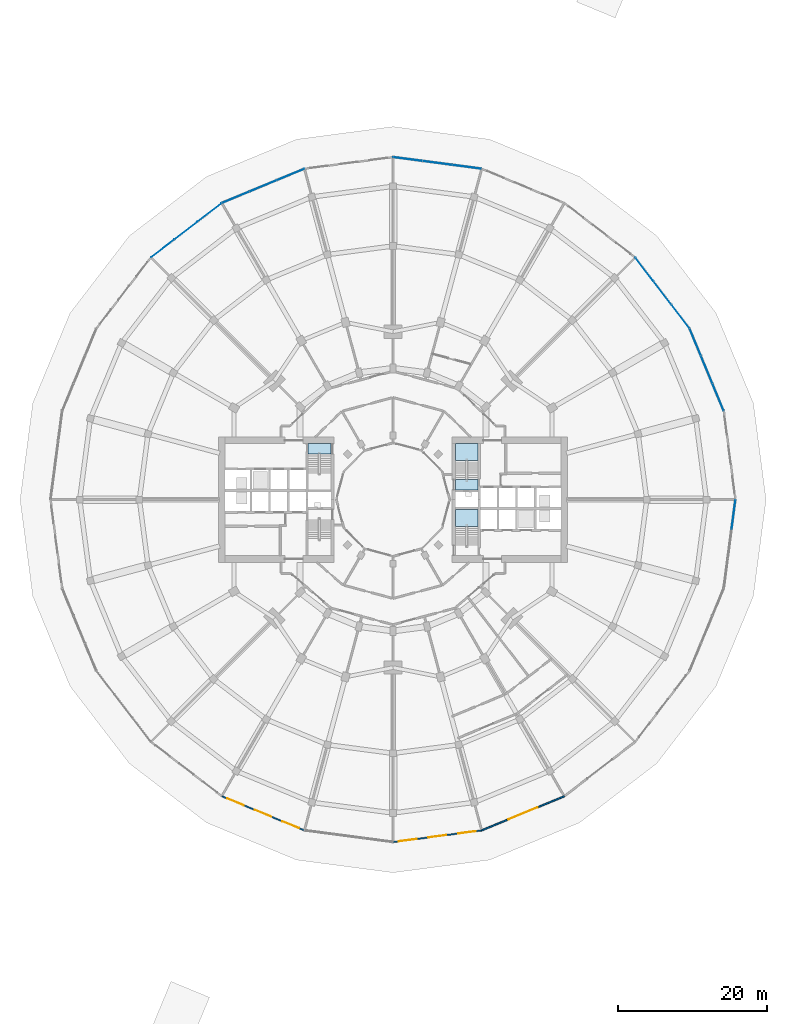
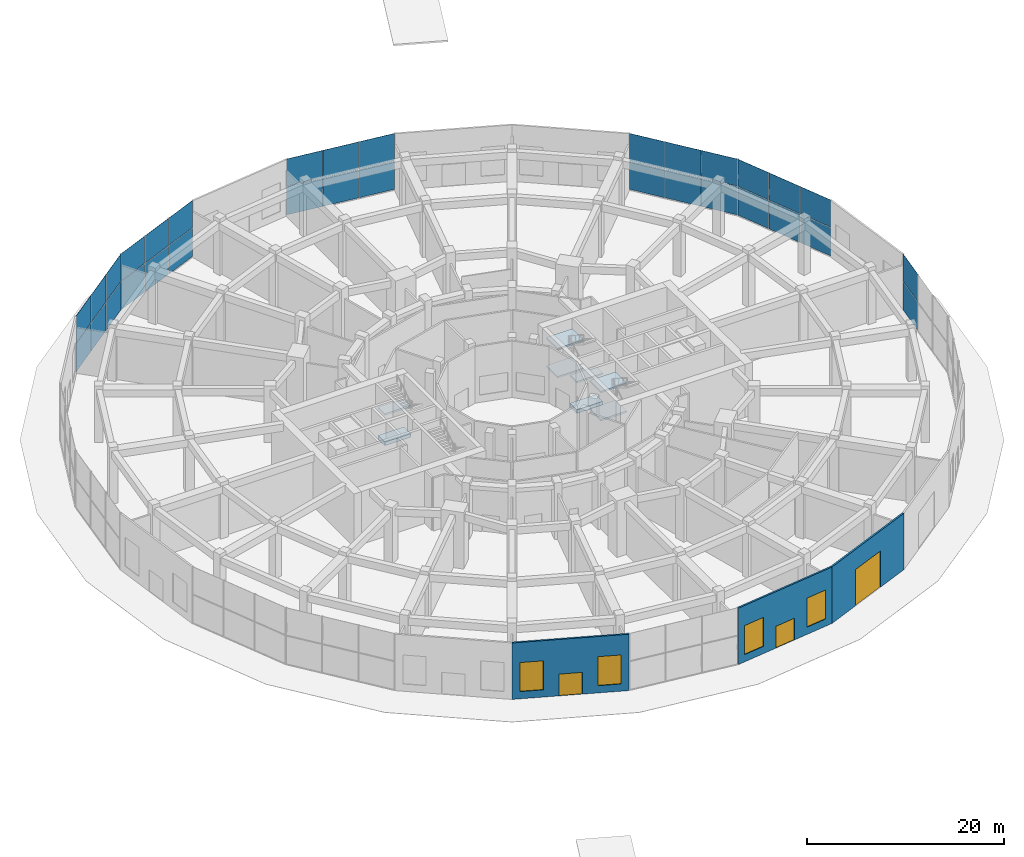
# One storey, part 21 of 31: 32 plates, 8 slabs, 4 windows, 3 doors, 3 walls, 7 openings, 9 elements without a shape of their own.
"""IFC4 building model written with IfcOpenShell, lengths in metres."""

from ifc_helpers import new_model, si_unit, direction, frame, frame_2d, origin, origin_2d, place, context, subcontext, project, spatial, polyline, rectangle, outline, extrude, material, layer, layer_set, type_object, element, fill, aggregate, save


model = new_model("IFC4")

# Units and contexts
model_context = context("Model", 3, precision=1e-05, world=origin(), true_north=direction((0.0, 1.0)))
body_context = subcontext(model_context, "Body", "Model", "MODEL_VIEW")
ifc_project = project(units=[si_unit("LENGTHUNIT", "METRE"), si_unit("AREAUNIT", "SQUARE_METRE"), si_unit("VOLUMEUNIT", "CUBIC_METRE"), si_unit("PLANEANGLEUNIT", "RADIAN"), si_unit("MASSUNIT", "GRAM", prefix="KILO")], contexts=[model_context])

# Site, building, storey
site_placement = place(None, origin())
site = spatial("IfcSite", under=ifc_project, at=site_placement, CompositionType="ELEMENT")
building_placement = place(site_placement, origin())
building = spatial("IfcBuilding", under=site, at=building_placement, Name="Torre Brocal", CompositionType="ELEMENT")
storey_placement = place(building_placement, origin())
storey = spatial("IfcBuildingStorey", under=building, at=storey_placement, Name="L00", CompositionType="ELEMENT", Elevation=0.0)

# Curtain wall, plates
ifc_material_1 = material(Name="Aluminium and glass", Category="aluminium")
ifc_layer_1 = layer(ifc_material_1, 0.199951171875)
ifc_layer_set_1 = layer_set([ifc_layer_1], Name="Aluminium and glass")
curtain_wall_type = type_object("IfcCurtainWallType", Name="CW-3 CURTAIN WALL 7000 HIGH", PredefinedType="NOTDEFINED", material=ifc_layer_set_1)
curtain_wall_1_placement = place(storey_placement, origin())
curtain_wall_1 = element("IfcCurtainWall", 1, at=curtain_wall_1_placement, inside=storey, type_object=curtain_wall_type, Name="CW-3 RUN 2", PredefinedType="NOTDEFINED")
ifc_material_2 = material(Name="Glass, dark tinted laminated", Category="glass")
ifc_layer_2 = layer(ifc_material_2, 0.02392578125)
ifc_layer_set_2 = layer_set([ifc_layer_2], Name="Glass, dark tinted laminated")
plate_type = type_object("IfcPlateType", Name="CW-3 GLASS PANEL 24", PredefinedType="CURTAIN_PANEL", material=ifc_layer_set_2)
plate_1_placement = place(storey_placement, frame((123.566162109375, 88.736083984375, 0.06005859375), z_axis=(0.0, 0.0, 1.0), x_axis=(-0.382683432333, 0.923879532525, 0.0)))
plate_1 = element("IfcPlate", 2, at=plate_1_placement, type_object=plate_type, Name="CW3-1 panel 1.1", PredefinedType="CURTAIN_PANEL", context=body_context, shape_type="SweptSolid", body=[
    extrude(rectangle(XDim=3.9189453125, YDim=0.02392578125, at=origin_2d()), origin(), (0.0, 0.0, 1.0), 3.510009765625),
])
plate_2_placement = place(storey_placement, frame((123.566162109375, 88.736083984375, 3.6298828125), z_axis=(0.0, 0.0, 1.0), x_axis=(-0.382683432333, 0.923879532525, 0.0)))
plate_2 = element("IfcPlate", 3, at=plate_2_placement, type_object=plate_type, Name="CW3-1 panel 1.2", PredefinedType="CURTAIN_PANEL", context=body_context, shape_type="SweptSolid", body=[
    extrude(rectangle(XDim=3.9189453125, YDim=0.02392578125, at=origin_2d()), origin(), (0.0, 0.0, 1.0), 3.3701171875),
])
plate_3_placement = place(storey_placement, frame((122.04248046875, 92.41455078125, 0.06005859375), z_axis=(0.0, 0.0, 1.0), x_axis=(-0.382683432333, 0.923879532525, 0.0)))
plate_3 = element("IfcPlate", 4, at=plate_3_placement, type_object=plate_type, Name="CW3-1 panel 2.1", PredefinedType="CURTAIN_PANEL", context=body_context, shape_type="SweptSolid", body=[
    extrude(rectangle(XDim=3.944091796875, YDim=0.02392578125, at=origin_2d()), origin(), (0.0, 0.0, 1.0), 3.510009765625),
])
plate_4_placement = place(storey_placement, frame((122.04248046875, 92.41455078125, 3.6298828125), z_axis=(0.0, 0.0, 1.0), x_axis=(-0.382683432333, 0.923879532525, 0.0)))
plate_4 = element("IfcPlate", 5, at=plate_4_placement, type_object=plate_type, Name="CW3-1 panel 2.2", PredefinedType="CURTAIN_PANEL", context=body_context, shape_type="SweptSolid", body=[
    extrude(rectangle(XDim=3.944091796875, YDim=0.02392578125, at=origin_2d()), origin(), (0.0, 0.0, 1.0), 3.3701171875),
])
plate_5_placement = place(storey_placement, frame((120.518798828125, 96.093017578125, 0.06005859375), z_axis=(0.0, 0.0, 1.0), x_axis=(-0.382683432333, 0.923879532525, 0.0)))
plate_5 = element("IfcPlate", 6, at=plate_5_placement, type_object=plate_type, Name="CW3-1 panel 3.1", PredefinedType="CURTAIN_PANEL", context=body_context, shape_type="SweptSolid", body=[
    extrude(rectangle(XDim=3.9189453125, YDim=0.02392578125, at=origin_2d()), origin(), (0.0, 0.0, 1.0), 3.510009765625),
])
plate_6_placement = place(storey_placement, frame((120.518798828125, 96.093017578125, 3.6298828125), z_axis=(0.0, 0.0, 1.0), x_axis=(-0.382683432333, 0.923879532525, 0.0)))
plate_6 = element("IfcPlate", 7, at=plate_6_placement, type_object=plate_type, Name="CW3-1 panel 3.2", PredefinedType="CURTAIN_PANEL", context=body_context, shape_type="SweptSolid", body=[
    extrude(rectangle(XDim=3.9189453125, YDim=0.02392578125, at=origin_2d()), origin(), (0.0, 0.0, 1.0), 3.3701171875),
])
aggregate(curtain_wall_1, [plate_1, plate_2, plate_3, plate_4, plate_5, plate_6])

curtain_wall_2_placement = place(storey_placement, origin())
curtain_wall_2 = element("IfcCurtainWall", 8, at=curtain_wall_2_placement, inside=storey, type_object=curtain_wall_type, Name="CW-3 RUN 3", PredefinedType="NOTDEFINED")
plate_7_placement = place(storey_placement, frame((118.526611328125, 99.543701171875, 0.06005859375), z_axis=(0.0, 0.0, 1.0), x_axis=(-0.608761429009, 0.793353340291, 0.0)))
plate_7 = element("IfcPlate", 9, at=plate_7_placement, type_object=plate_type, Name="CW3-1 panel 1.1", PredefinedType="CURTAIN_PANEL", context=body_context, shape_type="SweptSolid", body=[
    extrude(rectangle(XDim=3.9189453125, YDim=0.02392578125, at=origin_2d()), origin(), (0.0, 0.0, 1.0), 3.510009765625),
])
plate_8_placement = place(storey_placement, frame((118.526611328125, 99.543701171875, 3.6298828125), z_axis=(0.0, 0.0, 1.0), x_axis=(-0.608761429009, 0.793353340291, 0.0)))
plate_8 = element("IfcPlate", 10, at=plate_8_placement, type_object=plate_type, Name="CW3-1 panel 1.2", PredefinedType="CURTAIN_PANEL", context=body_context, shape_type="SweptSolid", body=[
    extrude(rectangle(XDim=3.9189453125, YDim=0.02392578125, at=origin_2d()), origin(), (0.0, 0.0, 1.0), 3.3701171875),
])
plate_9_placement = place(storey_placement, frame((116.102783203125, 102.70263671875, 0.06005859375), z_axis=(0.0, 0.0, 1.0), x_axis=(-0.608761429009, 0.793353340291, 0.0)))
plate_9 = element("IfcPlate", 11, at=plate_9_placement, type_object=plate_type, Name="CW3-1 panel 2.1", PredefinedType="CURTAIN_PANEL", context=body_context, shape_type="SweptSolid", body=[
    extrude(rectangle(XDim=3.944091796875, YDim=0.02392578125, at=origin_2d()), origin(), (0.0, 0.0, 1.0), 3.510009765625),
])
plate_10_placement = place(storey_placement, frame((116.102783203125, 102.70263671875, 3.6298828125), z_axis=(0.0, 0.0, 1.0), x_axis=(-0.608761429009, 0.793353340291, 0.0)))
plate_10 = element("IfcPlate", 12, at=plate_10_placement, type_object=plate_type, Name="CW3-1 panel 2.2", PredefinedType="CURTAIN_PANEL", context=body_context, shape_type="SweptSolid", body=[
    extrude(rectangle(XDim=3.944091796875, YDim=0.02392578125, at=origin_2d()), origin(), (0.0, 0.0, 1.0), 3.3701171875),
])
plate_11_placement = place(storey_placement, frame((113.678955078125, 105.861328125, 0.06005859375), z_axis=(0.0, 0.0, 1.0), x_axis=(-0.608761429009, 0.793353340291, 0.0)))
plate_11 = element("IfcPlate", 13, at=plate_11_placement, type_object=plate_type, Name="CW3-1 panel 3.1", PredefinedType="CURTAIN_PANEL", context=body_context, shape_type="SweptSolid", body=[
    extrude(rectangle(XDim=3.9189453125, YDim=0.02392578125, at=origin_2d()), origin(), (0.0, 0.0, 1.0), 3.510009765625),
])
plate_12_placement = place(storey_placement, frame((113.678955078125, 105.861328125, 3.6298828125), z_axis=(0.0, 0.0, 1.0), x_axis=(-0.608761429009, 0.793353340291, 0.0)))
plate_12 = element("IfcPlate", 14, at=plate_12_placement, type_object=plate_type, Name="CW3-1 panel 3.2", PredefinedType="CURTAIN_PANEL", context=body_context, shape_type="SweptSolid", body=[
    extrude(rectangle(XDim=3.9189453125, YDim=0.02392578125, at=origin_2d()), origin(), (0.0, 0.0, 1.0), 3.3701171875),
])
aggregate(curtain_wall_2, [plate_7, plate_8, plate_9, plate_10, plate_11, plate_12])

curtain_wall_3_placement = place(storey_placement, origin())
curtain_wall_3 = element("IfcCurtainWall", 15, at=curtain_wall_3_placement, inside=storey, type_object=curtain_wall_type, Name="CW-3 RUN 6", PredefinedType="NOTDEFINED")
plate_13_placement = place(storey_placement, frame((89.88720703125, 119.597412109375, 0.06005859375), z_axis=(0.0, 0.0, 1.0), x_axis=(-0.991444861372, 0.130526192237, 0.0)))
plate_13 = element("IfcPlate", 16, at=plate_13_placement, type_object=plate_type, Name="CW3-1 panel 1.1", PredefinedType="CURTAIN_PANEL", context=body_context, shape_type="SweptSolid", body=[
    extrude(rectangle(XDim=3.9189453125, YDim=0.02392578125, at=origin_2d()), origin(), (0.0, 0.0, 1.0), 3.510009765625),
])
plate_14_placement = place(storey_placement, frame((89.88720703125, 119.597412109375, 3.6298828125), z_axis=(0.0, 0.0, 1.0), x_axis=(-0.991444861372, 0.130526192237, 0.0)))
plate_14 = element("IfcPlate", 17, at=plate_14_placement, type_object=plate_type, Name="CW3-1 panel 1.2", PredefinedType="CURTAIN_PANEL", context=body_context, shape_type="SweptSolid", body=[
    extrude(rectangle(XDim=3.9189453125, YDim=0.02392578125, at=origin_2d()), origin(), (0.0, 0.0, 1.0), 3.3701171875),
])
plate_15_placement = place(storey_placement, frame((85.939697265625, 120.1171875, 0.06005859375), z_axis=(0.0, 0.0, 1.0), x_axis=(-0.991444861372, 0.130526192237, 0.0)))
plate_15 = element("IfcPlate", 18, at=plate_15_placement, type_object=plate_type, Name="CW3-1 panel 2.1", PredefinedType="CURTAIN_PANEL", context=body_context, shape_type="SweptSolid", body=[
    extrude(rectangle(XDim=3.944091796875, YDim=0.02392578125, at=origin_2d()), origin(), (0.0, 0.0, 1.0), 3.510009765625),
])
plate_16_placement = place(storey_placement, frame((85.939697265625, 120.1171875, 3.6298828125), z_axis=(0.0, 0.0, 1.0), x_axis=(-0.991444861372, 0.130526192237, 0.0)))
plate_16 = element("IfcPlate", 19, at=plate_16_placement, type_object=plate_type, Name="CW3-1 panel 2.2", PredefinedType="CURTAIN_PANEL", context=body_context, shape_type="SweptSolid", body=[
    extrude(rectangle(XDim=3.944091796875, YDim=0.02392578125, at=origin_2d()), origin(), (0.0, 0.0, 1.0), 3.3701171875),
])
plate_17_placement = place(storey_placement, frame((81.992431640625, 120.636962890625, 0.06005859375), z_axis=(0.0, 0.0, 1.0), x_axis=(-0.991444861372, 0.130526192237, 0.0)))
plate_17 = element("IfcPlate", 20, at=plate_17_placement, type_object=plate_type, Name="CW3-1 panel 3.1", PredefinedType="CURTAIN_PANEL", context=body_context, shape_type="SweptSolid", body=[
    extrude(rectangle(XDim=3.9189453125, YDim=0.02392578125, at=origin_2d()), origin(), (0.0, 0.0, 1.0), 3.510009765625),
])
plate_18_placement = place(storey_placement, frame((81.992431640625, 120.636962890625, 3.6298828125), z_axis=(0.0, 0.0, 1.0), x_axis=(-0.991444861372, 0.130526192237, 0.0)))
plate_18 = element("IfcPlate", 21, at=plate_18_placement, type_object=plate_type, Name="CW3-1 panel 3.2", PredefinedType="CURTAIN_PANEL", context=body_context, shape_type="SweptSolid", body=[
    extrude(rectangle(XDim=3.9189453125, YDim=0.02392578125, at=origin_2d()), origin(), (0.0, 0.0, 1.0), 3.3701171875),
])
aggregate(curtain_wall_3, [plate_13, plate_14, plate_15, plate_16, plate_17, plate_18])

curtain_wall_4_placement = place(storey_placement, origin())
curtain_wall_4 = element("IfcCurtainWall", 22, at=curtain_wall_4_placement, inside=storey, type_object=curtain_wall_type, Name="CW-3 RUN 8", PredefinedType="NOTDEFINED")
plate_19_placement = place(storey_placement, frame((66.263916015625, 118.566162109375, 0.06005859375), z_axis=(0.0, 0.0, 1.0), x_axis=(-0.923879532525, -0.382683432333, 0.0)))
plate_19 = element("IfcPlate", 23, at=plate_19_placement, type_object=plate_type, Name="CW3-1 panel 1.1", PredefinedType="CURTAIN_PANEL", context=body_context, shape_type="SweptSolid", body=[
    extrude(rectangle(XDim=3.9189453125, YDim=0.02392578125, at=origin_2d()), origin(), (0.0, 0.0, 1.0), 3.510009765625),
])
plate_20_placement = place(storey_placement, frame((66.263916015625, 118.566162109375, 3.6298828125), z_axis=(0.0, 0.0, 1.0), x_axis=(-0.923879532525, -0.382683432333, 0.0)))
plate_20 = element("IfcPlate", 24, at=plate_20_placement, type_object=plate_type, Name="CW3-1 panel 1.2", PredefinedType="CURTAIN_PANEL", context=body_context, shape_type="SweptSolid", body=[
    extrude(rectangle(XDim=3.9189453125, YDim=0.02392578125, at=origin_2d()), origin(), (0.0, 0.0, 1.0), 3.3701171875),
])
plate_21_placement = place(storey_placement, frame((62.58544921875, 117.04248046875, 0.06005859375), z_axis=(0.0, 0.0, 1.0), x_axis=(-0.923879532525, -0.382683432333, 0.0)))
plate_21 = element("IfcPlate", 25, at=plate_21_placement, type_object=plate_type, Name="CW3-1 panel 2.1", PredefinedType="CURTAIN_PANEL", context=body_context, shape_type="SweptSolid", body=[
    extrude(rectangle(XDim=3.944091796875, YDim=0.02392578125, at=origin_2d()), origin(), (0.0, 0.0, 1.0), 3.510009765625),
])
plate_22_placement = place(storey_placement, frame((62.58544921875, 117.04248046875, 3.6298828125), z_axis=(0.0, 0.0, 1.0), x_axis=(-0.923879532525, -0.382683432333, 0.0)))
plate_22 = element("IfcPlate", 26, at=plate_22_placement, type_object=plate_type, Name="CW3-1 panel 2.2", PredefinedType="CURTAIN_PANEL", context=body_context, shape_type="SweptSolid", body=[
    extrude(rectangle(XDim=3.944091796875, YDim=0.02392578125, at=origin_2d()), origin(), (0.0, 0.0, 1.0), 3.3701171875),
])
plate_23_placement = place(storey_placement, frame((58.906982421875, 115.518798828125, 0.06005859375), z_axis=(0.0, 0.0, 1.0), x_axis=(-0.923879532525, -0.382683432333, 0.0)))
plate_23 = element("IfcPlate", 27, at=plate_23_placement, type_object=plate_type, Name="CW3-1 panel 3.1", PredefinedType="CURTAIN_PANEL", context=body_context, shape_type="SweptSolid", body=[
    extrude(rectangle(XDim=3.9189453125, YDim=0.02392578125, at=origin_2d()), origin(), (0.0, 0.0, 1.0), 3.510009765625),
])
plate_24_placement = place(storey_placement, frame((58.906982421875, 115.518798828125, 3.6298828125), z_axis=(0.0, 0.0, 1.0), x_axis=(-0.923879532525, -0.382683432333, 0.0)))
plate_24 = element("IfcPlate", 28, at=plate_24_placement, type_object=plate_type, Name="CW3-1 panel 3.2", PredefinedType="CURTAIN_PANEL", context=body_context, shape_type="SweptSolid", body=[
    extrude(rectangle(XDim=3.9189453125, YDim=0.02392578125, at=origin_2d()), origin(), (0.0, 0.0, 1.0), 3.3701171875),
])
aggregate(curtain_wall_4, [plate_19, plate_20, plate_21, plate_22, plate_23, plate_24])

curtain_wall_5_placement = place(storey_placement, origin())
curtain_wall_5 = element("IfcCurtainWall", 29, at=curtain_wall_5_placement, inside=storey, type_object=curtain_wall_type, Name="CW-3 RUN 9", PredefinedType="NOTDEFINED")
plate_25_placement = place(storey_placement, frame((55.456298828125, 113.526611328125, 0.06005859375), z_axis=(0.0, 0.0, 1.0), x_axis=(-0.793353340291, -0.608761429009, 0.0)))
plate_25 = element("IfcPlate", 30, at=plate_25_placement, type_object=plate_type, Name="CW3-1 panel 1.1", PredefinedType="CURTAIN_PANEL", context=body_context, shape_type="SweptSolid", body=[
    extrude(rectangle(XDim=3.9189453125, YDim=0.02392578125, at=origin_2d()), origin(), (0.0, 0.0, 1.0), 3.510009765625),
])
plate_26_placement = place(storey_placement, frame((55.456298828125, 113.526611328125, 3.6298828125), z_axis=(0.0, 0.0, 1.0), x_axis=(-0.793353340291, -0.608761429009, 0.0)))
plate_26 = element("IfcPlate", 31, at=plate_26_placement, type_object=plate_type, Name="CW3-1 panel 1.2", PredefinedType="CURTAIN_PANEL", context=body_context, shape_type="SweptSolid", body=[
    extrude(rectangle(XDim=3.9189453125, YDim=0.02392578125, at=origin_2d()), origin(), (0.0, 0.0, 1.0), 3.3701171875),
])
plate_27_placement = place(storey_placement, frame((52.29736328125, 111.102783203125, 0.06005859375), z_axis=(0.0, 0.0, 1.0), x_axis=(-0.793353340291, -0.608761429009, 0.0)))
plate_27 = element("IfcPlate", 32, at=plate_27_placement, type_object=plate_type, Name="CW3-1 panel 2.1", PredefinedType="CURTAIN_PANEL", context=body_context, shape_type="SweptSolid", body=[
    extrude(rectangle(XDim=3.944091796875, YDim=0.02392578125, at=origin_2d()), origin(), (0.0, 0.0, 1.0), 3.510009765625),
])
plate_28_placement = place(storey_placement, frame((52.29736328125, 111.102783203125, 3.6298828125), z_axis=(0.0, 0.0, 1.0), x_axis=(-0.793353340291, -0.608761429009, 0.0)))
plate_28 = element("IfcPlate", 33, at=plate_28_placement, type_object=plate_type, Name="CW3-1 panel 2.2", PredefinedType="CURTAIN_PANEL", context=body_context, shape_type="SweptSolid", body=[
    extrude(rectangle(XDim=3.944091796875, YDim=0.02392578125, at=origin_2d()), origin(), (0.0, 0.0, 1.0), 3.3701171875),
])
plate_29_placement = place(storey_placement, frame((49.138671875, 108.678955078125, 0.06005859375), z_axis=(0.0, 0.0, 1.0), x_axis=(-0.793353340291, -0.608761429009, 0.0)))
plate_29 = element("IfcPlate", 34, at=plate_29_placement, type_object=plate_type, Name="CW3-1 panel 3.1", PredefinedType="CURTAIN_PANEL", context=body_context, shape_type="SweptSolid", body=[
    extrude(rectangle(XDim=3.9189453125, YDim=0.02392578125, at=origin_2d()), origin(), (0.0, 0.0, 1.0), 3.510009765625),
])
plate_30_placement = place(storey_placement, frame((49.138671875, 108.678955078125, 3.6298828125), z_axis=(0.0, 0.0, 1.0), x_axis=(-0.793353340291, -0.608761429009, 0.0)))
plate_30 = element("IfcPlate", 35, at=plate_30_placement, type_object=plate_type, Name="CW3-1 panel 3.2", PredefinedType="CURTAIN_PANEL", context=body_context, shape_type="SweptSolid", body=[
    extrude(rectangle(XDim=3.9189453125, YDim=0.02392578125, at=origin_2d()), origin(), (0.0, 0.0, 1.0), 3.3701171875),
])
aggregate(curtain_wall_5, [plate_25, plate_26, plate_27, plate_28, plate_29, plate_30])

curtain_wall_6_placement = place(storey_placement, origin())
curtain_wall_6 = element("IfcCurtainWall", 36, at=curtain_wall_6_placement, inside=storey, type_object=curtain_wall_type, Name="CW-3 RUN 24", PredefinedType="NOTDEFINED")
plate_31_placement = place(storey_placement, frame((125.636962890625, 73.007568359375, 0.06005859375), z_axis=(0.0, 0.0, 1.0), x_axis=(0.130526192237, 0.991444861372, 0.0)))
plate_31 = element("IfcPlate", 37, at=plate_31_placement, type_object=plate_type, Name="CW3-1 panel 3.1", PredefinedType="CURTAIN_PANEL", context=body_context, shape_type="SweptSolid", body=[
    extrude(rectangle(XDim=3.9189453125, YDim=0.02392578125, at=origin_2d()), origin(), (0.0, 0.0, 1.0), 3.510009765625),
])
plate_32_placement = place(storey_placement, frame((125.636962890625, 73.007568359375, 3.6298828125), z_axis=(0.0, 0.0, 1.0), x_axis=(0.130526192237, 0.991444861372, 0.0)))
plate_32 = element("IfcPlate", 38, at=plate_32_placement, type_object=plate_type, Name="CW3-1 panel 3.2", PredefinedType="CURTAIN_PANEL", context=body_context, shape_type="SweptSolid", body=[
    extrude(rectangle(XDim=3.9189453125, YDim=0.02392578125, at=origin_2d()), origin(), (0.0, 0.0, 1.0), 3.3701171875),
])
aggregate(curtain_wall_6, [plate_31, plate_32])

# Stair, slab
ifc_material_3 = material(Name="Concrete C50", Category="concrete")
stair_type = type_object("IfcStairType", Name="EXIT STAIR", PredefinedType="HALF_TURN_STAIR", material=ifc_material_3)
stair_1_placement = place(storey_placement, origin())
stair_1 = element("IfcStair", 39, at=stair_1_placement, inside=storey, type_object=stair_type, Name="EXIT STAIR ST1", PredefinedType="HALF_TURN_STAIR")
ifc_material_4 = material(Name="Concrete C50", Category="concrete")
ifc_layer_3 = layer(ifc_material_4, 0.449951171875)
ifc_layer_set_3 = layer_set([ifc_layer_3], Name="Concrete C50")
slab_type_1 = type_object("IfcSlabType", Name="FLOOR LANDING 450", PredefinedType="LANDING", material=ifc_layer_set_3)
slab_1_placement = place(storey_placement, frame((0.0, 0.0, -0.449951171875)))
slab_1 = element("IfcSlab", 40, at=slab_1_placement, type_object=slab_type_1, Name="ST1 landing 1", PredefinedType="LANDING", context=body_context, shape_type="SweptSolid", body=[
    extrude(outline(polyline([(88.35009765625, 76.300048828125), (91.39990234375, 76.300048828125), (91.39990234375, 77.699951171875), (88.35009765625, 77.699951171875), (88.35009765625, 76.300048828125)])), origin(), (0.0, 0.0, 1.0), 0.449951171875),
])

stair_2_placement = place(storey_placement, origin())
stair_2 = element("IfcStair", 41, at=stair_2_placement, inside=storey, type_object=stair_type, Name="EXIT STAIR ST4", PredefinedType="HALF_TURN_STAIR")
slab_2_placement = place(storey_placement, frame((0.0, 0.0, -0.449951171875)))
slab_2 = element("IfcSlab", 42, at=slab_2_placement, type_object=slab_type_1, Name="ST4 landing 1", PredefinedType="LANDING", context=body_context, shape_type="SweptSolid", body=[
    extrude(outline(polyline([(71.64990234375, 82.5), (68.60009765625, 82.5), (68.60009765625, 81.10009765625), (71.64990234375, 81.10009765625), (71.64990234375, 82.5)])), origin(), (0.0, 0.0, 1.0), 0.449951171875),
])

# Slab
ifc_material_5 = material(Name="Concrete C50", Category="concrete")
ifc_layer_4 = layer(ifc_material_5, 0.199951171875)
ifc_layer_set_4 = layer_set([ifc_layer_4], Name="Concrete C50")
slab_type_2 = type_object("IfcSlabType", Name="MID LANDING +1750", PredefinedType="LANDING", material=ifc_layer_set_4)
slab_3_placement = place(storey_placement, frame((0.0, 0.0, 1.550048828125)))
slab_3 = element("IfcSlab", 43, at=slab_3_placement, type_object=slab_type_2, Name="ST1 landing 2", PredefinedType="LANDING", context=body_context, shape_type="SweptSolid", body=[
    extrude(outline(polyline([(88.35009765625, 80.219970703125), (91.39990234375, 80.219970703125), (91.39990234375, 82.5), (88.35009765625, 82.5), (88.35009765625, 80.219970703125)])), origin(), (0.0, 0.0, 1.0), 0.199951171875),
])

# Stair, slab
stair_3_placement = place(storey_placement, origin())
stair_3 = element("IfcStair", 44, at=stair_3_placement, inside=storey, type_object=stair_type, Name="EXIT STAIR ST2", PredefinedType="HALF_TURN_STAIR")
slab_4_placement = place(storey_placement, frame((0.0, 0.0, 1.550048828125)))
slab_4 = element("IfcSlab", 45, at=slab_4_placement, type_object=slab_type_2, Name="ST2 landing 2", PredefinedType="LANDING", context=body_context, shape_type="SweptSolid", body=[
    extrude(outline(polyline([(88.35009765625, 71.419921875), (91.39990234375, 71.419921875), (91.39990234375, 73.699951171875), (88.35009765625, 73.699951171875), (88.35009765625, 71.419921875)])), origin(), (0.0, 0.0, 1.0), 0.199951171875),
])

# Slab
ifc_material_6 = material(Name="Concrete C50", Category="concrete")
ifc_layer_5 = layer(ifc_material_6, 0.199951171875)
ifc_layer_set_5 = layer_set([ifc_layer_5], Name="Concrete C50")
slab_type_3 = type_object("IfcSlabType", Name="MID LANDING +3500", PredefinedType="LANDING", material=ifc_layer_set_5)
slab_5_placement = place(storey_placement, frame((0.0, 0.0, 3.300048828125)))
slab_5 = element("IfcSlab", 46, at=slab_5_placement, type_object=slab_type_3, Name="ST1 landing 3", PredefinedType="LANDING", context=body_context, shape_type="SweptSolid", body=[
    extrude(outline(polyline([(88.35009765625, 76.300048828125), (91.39990234375, 76.300048828125), (91.39990234375, 77.699951171875), (88.35009765625, 77.699951171875), (88.35009765625, 76.300048828125)])), origin(), (0.0, 0.0, 1.0), 0.199951171875),
])

slab_6_placement = place(storey_placement, frame((0.0, 0.0, 3.300048828125)))
slab_6 = element("IfcSlab", 47, at=slab_6_placement, type_object=slab_type_3, Name="ST4 landing 3", PredefinedType="LANDING", context=body_context, shape_type="SweptSolid", body=[
    extrude(outline(polyline([(71.64990234375, 82.5), (68.60009765625, 82.5), (68.60009765625, 81.10009765625), (71.64990234375, 81.10009765625), (71.64990234375, 82.5)])), origin(), (0.0, 0.0, 1.0), 0.199951171875),
])

aggregate(stair_2, [slab_2, slab_6])

ifc_material_7 = material(Name="Concrete C50", Category="concrete")
ifc_layer_6 = layer(ifc_material_7, 0.199951171875)
ifc_layer_set_6 = layer_set([ifc_layer_6], Name="Concrete C50")
slab_type_4 = type_object("IfcSlabType", Name="MID LANDING +5250", PredefinedType="LANDING", material=ifc_layer_set_6)
slab_7_placement = place(storey_placement, frame((0.0, 0.0, 5.050048828125)))
slab_7 = element("IfcSlab", 48, at=slab_7_placement, type_object=slab_type_4, Name="ST1 landing 4", PredefinedType="LANDING", context=body_context, shape_type="SweptSolid", body=[
    extrude(outline(polyline([(88.35009765625, 80.219970703125), (91.39990234375, 80.219970703125), (91.39990234375, 82.5), (88.35009765625, 82.5), (88.35009765625, 80.219970703125)])), origin(), (0.0, 0.0, 1.0), 0.199951171875),
])

aggregate(stair_1, [slab_1, slab_3, slab_5, slab_7])

slab_8_placement = place(storey_placement, frame((0.0, 0.0, 5.050048828125)))
slab_8 = element("IfcSlab", 49, at=slab_8_placement, type_object=slab_type_4, Name="ST2 landing 4", PredefinedType="LANDING", context=body_context, shape_type="SweptSolid", body=[
    extrude(outline(polyline([(88.35009765625, 71.419921875), (91.39990234375, 71.419921875), (91.39990234375, 73.699951171875), (88.35009765625, 73.699951171875), (88.35009765625, 71.419921875)])), origin(), (0.0, 0.0, 1.0), 0.199951171875),
])

aggregate(stair_3, [slab_4, slab_8])

# Wall, openings, door, windows
ifc_material_8 = material(Name="Concrete C40", Category="concrete")
ifc_layer_7 = layer(ifc_material_8, 0.199951171875)
ifc_layer_set_7 = layer_set([ifc_layer_7], Name="Concrete C40")
wall_type = type_object("IfcWallType", Name="EXTERNAL WALL 200", PredefinedType="NOTDEFINED", material=ifc_layer_set_7)
wall_1_placement = place(storey_placement, frame((57.050537109375, 35.250244140625, 0.0), z_axis=(0.0, 0.0, 1.0), x_axis=(0.923874283273, -0.382696104901, 0.0)))
wall_1 = element("IfcWall", 50, at=wall_1_placement, inside=storey, type_object=wall_type, Name="EXTERNAL WALL", PredefinedType="NOTDEFINED", context=body_context, shape_type="SweptSolid", body=[
    extrude(rectangle(XDim=11.98193359375, YDim=0.199951171875, at=frame_2d((5.990966796875, 0.0))), origin(), (0.0, 0.0, 1.0), 7.0),
])
opening_1_placement = place(wall_1_placement, frame((0.797119140625, 0.0, 0.89990234375)))
opening_1 = element("IfcOpeningElement", 51, at=opening_1_placement, cuts=wall_1, Name="Opening W5", PredefinedType="OPENING", context=body_context, shape_type="SweptSolid", body=[
    extrude(rectangle(XDim=2.39990234375, YDim=3.60009765625, at=frame_2d((1.199951171875, 1.800048828125))), frame((0.0, 0.10986328125, 0.0), z_axis=(0.0, -1.0, 0.0), x_axis=(1.0, 0.0, 0.0)), (0.0, 0.0, 1.0), 0.219970703125),
])
opening_2_placement = place(wall_1_placement, frame((4.791015625, 0.0, 0.0)))
opening_2 = element("IfcOpeningElement", 52, at=opening_2_placement, cuts=wall_1, Name="Opening L00-E08", PredefinedType="OPENING", context=body_context, shape_type="SweptSolid", body=[
    extrude(rectangle(XDim=2.39990234375, YDim=2.699951171875, at=frame_2d((1.199951171875, 1.35009765625))), frame((0.0, 0.10986328125, 0.0), z_axis=(0.0, -1.0, 0.0), x_axis=(1.0, 0.0, 0.0)), (0.0, 0.0, 1.0), 0.219970703125),
])
opening_3_placement = place(wall_1_placement, frame((8.78515625, 0.0, 0.89990234375)))
opening_3 = element("IfcOpeningElement", 53, at=opening_3_placement, cuts=wall_1, Name="Opening W5", PredefinedType="OPENING", context=body_context, shape_type="SweptSolid", body=[
    extrude(rectangle(XDim=2.39990234375, YDim=3.60009765625, at=frame_2d((1.199951171875, 1.800048828125))), frame((0.0, 0.10986328125, 0.0), z_axis=(0.0, -1.0, 0.0), x_axis=(1.0, 0.0, 0.0)), (0.0, 0.0, 1.0), 0.219970703125),
])
ifc_material_9 = material(Name="Aluminium and glass", Category="aluminium")
door_type_1 = type_object("IfcDoorType", Name="ENTRANCE DOUBLE DOOR 2400X2700", OperationType="DOUBLE_DOOR_SINGLE_SWING", PredefinedType="DOOR", material=ifc_material_9)
door_1_placement = place(opening_2_placement, frame((2.39990234375, 0.0, 0.0), z_axis=(0.0, 0.0, 1.0), x_axis=(-1.0, 0.0, 0.0)))
door_1 = element("IfcDoor", 54, at=door_1_placement, inside=storey, type_object=door_type_1, Name="DOOR L00-E08", OperationType="DOUBLE_DOOR_SINGLE_SWING", OverallHeight=2.699951171875, OverallWidth=2.39990234375, PredefinedType="DOOR", context=body_context, shape_type="SweptSolid", body=[
    extrude(rectangle(XDim=2.39990234375, YDim=2.699951171875, at=frame_2d((1.199951171875, 1.35009765625))), frame((0.0, 0.02490234375, 0.0), z_axis=(0.0, -1.0, 0.0), x_axis=(1.0, 0.0, 0.0)), (0.0, 0.0, 1.0), 0.050048828125),
])
fill(opening_2, door_1)
ifc_material_10 = material(Name="Aluminium and glass", Category="aluminium")
window_type = type_object("IfcWindowType", Name="PODIUM WINDOW 2400X3600", PartitioningType="SINGLE_PANEL", PredefinedType="WINDOW", material=ifc_material_10)
window_1_placement = place(opening_1_placement, origin())
window_1 = element("IfcWindow", 55, at=window_1_placement, inside=storey, type_object=window_type, Name="PODIUM WINDOW 2400X3600", OverallHeight=3.60009765625, OverallWidth=2.39990234375, PartitioningType="SINGLE_PANEL", PredefinedType="WINDOW", context=body_context, shape_type="SweptSolid", body=[
    extrude(rectangle(XDim=2.39990234375, YDim=3.60009765625, at=frame_2d((1.199951171875, 1.800048828125))), frame((0.0, 0.030029296875, 0.0), z_axis=(0.0, -1.0, 0.0), x_axis=(1.0, 0.0, 0.0)), (0.0, 0.0, 1.0), 0.06005859375),
])
fill(opening_1, window_1)
window_2_placement = place(opening_3_placement, origin())
window_2 = element("IfcWindow", 56, at=window_2_placement, inside=storey, type_object=window_type, Name="PODIUM WINDOW 2400X3600", OverallHeight=3.60009765625, OverallWidth=2.39990234375, PartitioningType="SINGLE_PANEL", PredefinedType="WINDOW", context=body_context, shape_type="SweptSolid", body=[
    extrude(rectangle(XDim=2.39990234375, YDim=3.60009765625, at=frame_2d((1.199951171875, 1.800048828125))), frame((0.0, 0.030029296875, 0.0), z_axis=(0.0, -1.0, 0.0), x_axis=(1.0, 0.0, 0.0)), (0.0, 0.0, 1.0), 0.06005859375),
])
fill(opening_3, window_2)

wall_2_placement = place(storey_placement, frame((80.0, 29.100830078125, 0.0), z_axis=(0.0, 0.0, 1.0), x_axis=(0.991445069361, 0.130524612391, 0.0)))
wall_2 = element("IfcWall", 57, at=wall_2_placement, inside=storey, type_object=wall_type, Name="EXTERNAL WALL", PredefinedType="NOTDEFINED", context=body_context, shape_type="SweptSolid", body=[
    extrude(rectangle(XDim=11.982177734375, YDim=0.199951171875, at=frame_2d((5.9912109375, 0.0))), origin(), (0.0, 0.0, 1.0), 7.0),
])
opening_4_placement = place(wall_2_placement, frame((0.797119140625, 0.0, 0.89990234375)))
opening_4 = element("IfcOpeningElement", 58, at=opening_4_placement, cuts=wall_2, Name="Opening W5", PredefinedType="OPENING", context=body_context, shape_type="SweptSolid", body=[
    extrude(rectangle(XDim=2.39990234375, YDim=3.60009765625, at=frame_2d((1.199951171875, 1.800048828125))), frame((0.0, 0.10986328125, 0.0), z_axis=(0.0, -1.0, 0.0), x_axis=(1.0, 0.0, 0.0)), (0.0, 0.0, 1.0), 0.219970703125),
])
opening_5_placement = place(wall_2_placement, frame((4.791015625, 0.0, 0.0)))
opening_5 = element("IfcOpeningElement", 59, at=opening_5_placement, cuts=wall_2, Name="Opening L00-E09", PredefinedType="OPENING", context=body_context, shape_type="SweptSolid", body=[
    extrude(rectangle(XDim=2.39990234375, YDim=2.699951171875, at=frame_2d((1.199951171875, 1.35009765625))), frame((0.0, 0.10986328125, 0.0), z_axis=(0.0, -1.0, 0.0), x_axis=(1.0, 0.0, 0.0)), (0.0, 0.0, 1.0), 0.219970703125),
])
opening_6_placement = place(wall_2_placement, frame((8.78515625, 0.0, 0.89990234375)))
opening_6 = element("IfcOpeningElement", 60, at=opening_6_placement, cuts=wall_2, Name="Opening W5", PredefinedType="OPENING", context=body_context, shape_type="SweptSolid", body=[
    extrude(rectangle(XDim=2.39990234375, YDim=3.60009765625, at=frame_2d((1.199951171875, 1.800048828125))), frame((0.0, 0.10986328125, 0.0), z_axis=(0.0, -1.0, 0.0), x_axis=(1.0, 0.0, 0.0)), (0.0, 0.0, 1.0), 0.219970703125),
])
door_2_placement = place(opening_5_placement, frame((2.39990234375, 0.0, 0.0), z_axis=(0.0, 0.0, 1.0), x_axis=(-1.0, 0.0, 0.0)))
door_2 = element("IfcDoor", 61, at=door_2_placement, inside=storey, type_object=door_type_1, Name="DOOR L00-E09", OperationType="DOUBLE_DOOR_SINGLE_SWING", OverallHeight=2.699951171875, OverallWidth=2.39990234375, PredefinedType="DOOR", context=body_context, shape_type="SweptSolid", body=[
    extrude(rectangle(XDim=2.39990234375, YDim=2.699951171875, at=frame_2d((1.199951171875, 1.35009765625))), frame((0.0, 0.02490234375, 0.0), z_axis=(0.0, -1.0, 0.0), x_axis=(1.0, 0.0, 0.0)), (0.0, 0.0, 1.0), 0.050048828125),
])
fill(opening_5, door_2)
window_3_placement = place(opening_4_placement, origin())
window_3 = element("IfcWindow", 62, at=window_3_placement, inside=storey, type_object=window_type, Name="PODIUM WINDOW 2400X3600", OverallHeight=3.60009765625, OverallWidth=2.39990234375, PartitioningType="SINGLE_PANEL", PredefinedType="WINDOW", context=body_context, shape_type="SweptSolid", body=[
    extrude(rectangle(XDim=2.39990234375, YDim=3.60009765625, at=frame_2d((1.199951171875, 1.800048828125))), frame((0.0, 0.030029296875, 0.0), z_axis=(0.0, -1.0, 0.0), x_axis=(1.0, 0.0, 0.0)), (0.0, 0.0, 1.0), 0.06005859375),
])
fill(opening_4, window_3)
window_4_placement = place(opening_6_placement, origin())
window_4 = element("IfcWindow", 63, at=window_4_placement, inside=storey, type_object=window_type, Name="PODIUM WINDOW 2400X3600", OverallHeight=3.60009765625, OverallWidth=2.39990234375, PartitioningType="SINGLE_PANEL", PredefinedType="WINDOW", context=body_context, shape_type="SweptSolid", body=[
    extrude(rectangle(XDim=2.39990234375, YDim=3.60009765625, at=frame_2d((1.199951171875, 1.800048828125))), frame((0.0, 0.030029296875, 0.0), z_axis=(0.0, -1.0, 0.0), x_axis=(1.0, 0.0, 0.0)), (0.0, 0.0, 1.0), 0.06005859375),
])
fill(opening_6, window_4)

# Wall, opening, door
wall_3_placement = place(storey_placement, frame((91.879638671875, 30.664794921875, 0.0), z_axis=(0.0, 0.0, 1.0), x_axis=(0.923874283273, 0.382696104901, 0.0)))
wall_3 = element("IfcWall", 64, at=wall_3_placement, inside=storey, type_object=wall_type, Name="EXTERNAL WALL", PredefinedType="NOTDEFINED", context=body_context, shape_type="SweptSolid", body=[
    extrude(rectangle(XDim=11.98193359375, YDim=0.199951171875, at=frame_2d((5.990966796875, 0.0))), origin(), (0.0, 0.0, 1.0), 7.0),
])
opening_7_placement = place(wall_3_placement, frame((3.89111328125, 0.0, 0.0)))
opening_7 = element("IfcOpeningElement", 65, at=opening_7_placement, cuts=wall_3, Name="Opening L00-E10", PredefinedType="OPENING", context=body_context, shape_type="SweptSolid", body=[
    extrude(rectangle(XDim=4.199951171875, YDim=4.5, at=frame_2d((2.10009765625, 2.25))), frame((0.0, 0.10986328125, 0.0), z_axis=(0.0, -1.0, 0.0), x_axis=(1.0, 0.0, 0.0)), (0.0, 0.0, 1.0), 0.219970703125),
])
ifc_material_11 = material(Name="Aluminium and glass", Category="aluminium")
door_type_2 = type_object("IfcDoorType", Name="LOADING DOCK DOOR 4200X4500", OperationType="ROLLINGUP", PredefinedType="DOOR", material=ifc_material_11)
door_3_placement = place(opening_7_placement, origin())
door_3 = element("IfcDoor", 66, at=door_3_placement, inside=storey, type_object=door_type_2, Name="DOOR L00-E10", OperationType="ROLLINGUP", OverallHeight=4.5, OverallWidth=4.199951171875, PredefinedType="DOOR", context=body_context, shape_type="SweptSolid", body=[
    extrude(rectangle(XDim=4.199951171875, YDim=4.5, at=frame_2d((2.10009765625, 2.25))), frame((0.0, 0.02490234375, 0.0), z_axis=(0.0, -1.0, 0.0), x_axis=(1.0, 0.0, 0.0)), (0.0, 0.0, 1.0), 0.050048828125),
])
fill(opening_7, door_3)

save(model, "model.ifc")
